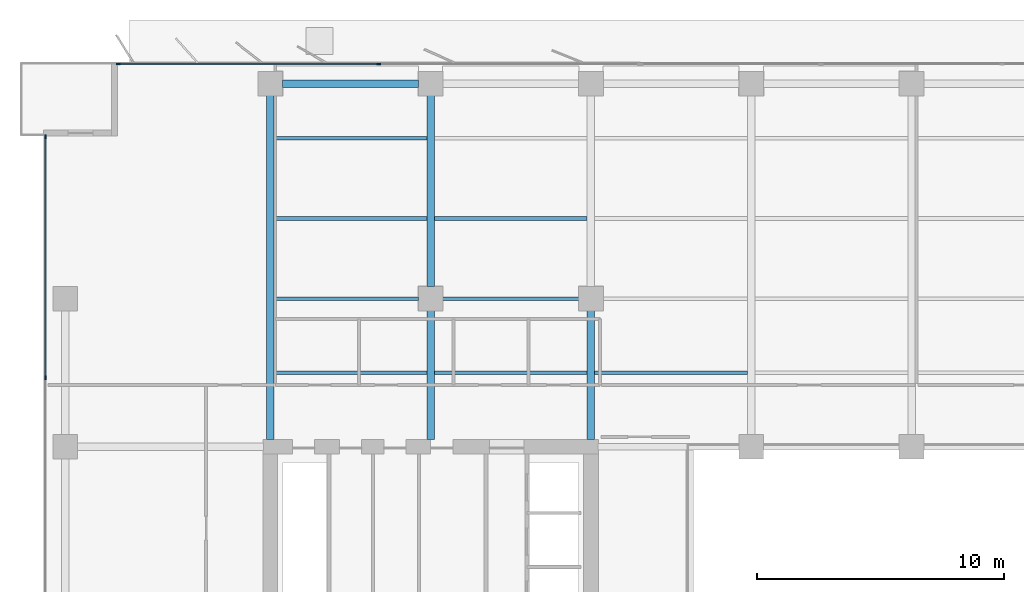
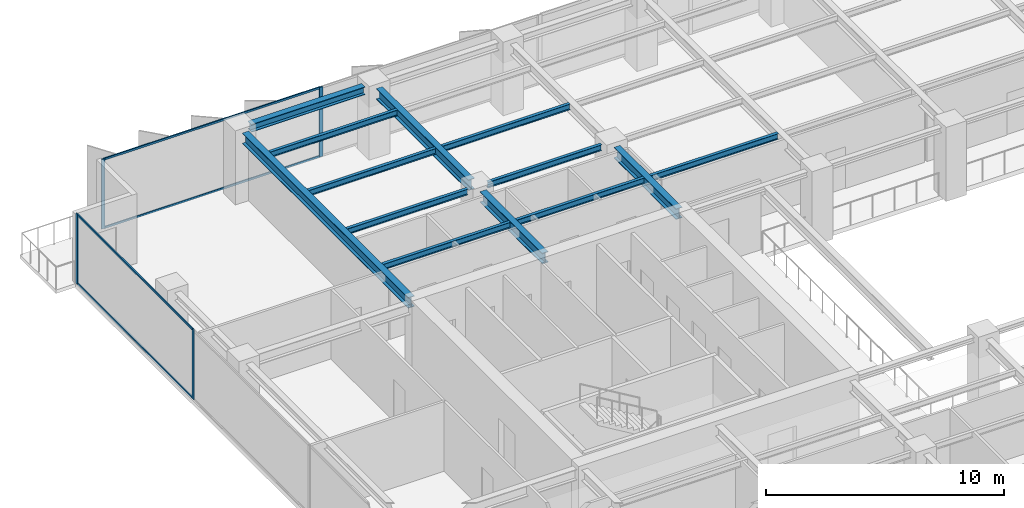
# One storey, part 8 of 22: 13 beams, 8 members, 2 elements without a shape of their own.
"""IFC4 building model written with IfcOpenShell, lengths in metres."""

from ifc_helpers import new_model, si_unit, direction, frame, origin, origin_2d, place, context, subcontext, project, spatial, rectangle, i_section, extrude, material, layer, layer_set, material_profile, profile_set, type_object, element, aggregate, save


model = new_model("IFC4")

# Units and contexts
model_context = context("Model", 3, precision=1e-05, world=origin(), true_north=direction((0.0, 1.0)))
body_context = subcontext(model_context, "Body", "Model", "MODEL_VIEW")
ifc_project = project(units=[si_unit("LENGTHUNIT", "METRE"), si_unit("AREAUNIT", "SQUARE_METRE"), si_unit("VOLUMEUNIT", "CUBIC_METRE"), si_unit("PLANEANGLEUNIT", "RADIAN"), si_unit("MASSUNIT", "GRAM", prefix="KILO")], contexts=[model_context])

# Site, building, storey
site_placement = place(None, origin())
site = spatial("IfcSite", under=ifc_project, at=site_placement, CompositionType="ELEMENT")
building_placement = place(site_placement, origin())
building = spatial("IfcBuilding", under=site, at=building_placement, Name="Putna Gate Headquarters", CompositionType="ELEMENT")
storey_placement = place(building_placement, frame((0.0, 0.0, 144.199951171875)))
storey = spatial("IfcBuildingStorey", under=building, at=storey_placement, Name="L35", CompositionType="ELEMENT", Elevation=144.199951171875)

# Beams
ifc_material_1 = material(Name="Steel S355J2", Category="steel")
ifc_material_profile_1 = material_profile(ifc_material_1, i_section(OverallWidth=0.300048828125, OverallDepth=0.550048828125, WebThickness=0.014892578125, FlangeThickness=0.029052734375, at=origin_2d()), Name="Steel S355J2")
ifc_profile_set_1 = profile_set([ifc_material_profile_1], Name="Steel S355J2")
beam_type_1 = type_object("IfcBeamType", Name="BM-GIRD-Z3-HEB550", PredefinedType="USERDEFINED", material=ifc_profile_set_1)
beam_1_placement = place(storey_placement, frame((13.0, 33.284912109375, 3.297119140625), z_axis=(0.0, 1.0, 0.0), x_axis=(-1.0, 0.0, 0.0)))
element("IfcBeam", 1, at=beam_1_placement, inside=storey, type_object=beam_type_1, Name="L35 North Primary Girder X13", ObjectType="GIRDER", PredefinedType="USERDEFINED", context=body_context, shape_type="SweptSolid", body=[
    extrude(i_section(OverallWidth=0.300048828125, OverallDepth=0.550048828125, WebThickness=0.014892578125, FlangeThickness=0.029052734375, at=origin_2d()), origin(), (0.0, 0.0, 1.0), 13.947021484375),
])
beam_2_placement = place(storey_placement, frame((19.5, 33.284912109375, 3.297119140625), z_axis=(0.0, 1.0, 0.0), x_axis=(-1.0, 0.0, 0.0)))
element("IfcBeam", 2, at=beam_2_placement, inside=storey, type_object=beam_type_1, Name="L35 North Primary Girder X19-1", ObjectType="GIRDER", PredefinedType="USERDEFINED", context=body_context, shape_type="SweptSolid", body=[
    extrude(i_section(OverallWidth=0.300048828125, OverallDepth=0.550048828125, WebThickness=0.014892578125, FlangeThickness=0.029052734375, at=origin_2d()), origin(), (0.0, 0.0, 1.0), 5.22705078125),
])
beam_3_placement = place(storey_placement, frame((19.5, 39.488037109375, 3.297119140625), z_axis=(0.0, 1.0, 0.0), x_axis=(-1.0, 0.0, 0.0)))
element("IfcBeam", 3, at=beam_3_placement, inside=storey, type_object=beam_type_1, Name="L35 North Primary Girder X19-2", ObjectType="GIRDER", PredefinedType="USERDEFINED", context=body_context, shape_type="SweptSolid", body=[
    extrude(i_section(OverallWidth=0.300048828125, OverallDepth=0.550048828125, WebThickness=0.014892578125, FlangeThickness=0.029052734375, at=origin_2d()), origin(), (0.0, 0.0, 1.0), 7.743896484375),
])
beam_4_placement = place(storey_placement, frame((26.0, 33.284912109375, 3.297119140625), z_axis=(0.0, 1.0, 0.0), x_axis=(-1.0, 0.0, 0.0)))
element("IfcBeam", 4, at=beam_4_placement, inside=storey, type_object=beam_type_1, Name="L35 North Primary Girder X26-1", ObjectType="GIRDER", PredefinedType="USERDEFINED", context=body_context, shape_type="SweptSolid", body=[
    extrude(i_section(OverallWidth=0.300048828125, OverallDepth=0.550048828125, WebThickness=0.014892578125, FlangeThickness=0.029052734375, at=origin_2d()), origin(), (0.0, 0.0, 1.0), 5.22705078125),
])
ifc_material_profile_2 = material_profile(ifc_material_1, i_section(OverallWidth=0.14990234375, OverallDepth=0.300048828125, WebThickness=0.007080078125, FlangeThickness=0.0107421875, at=origin_2d()), Name="Steel S355J2")
ifc_profile_set_2 = profile_set([ifc_material_profile_2], Name="Steel S355J2")
beam_type_2 = type_object("IfcBeamType", Name="BM-SEC-Z3-IPE300", PredefinedType="JOIST", material=ifc_profile_set_2)
beam_5_placement = place(storey_placement, frame((13.154052734375, 36.0, 3.422119140625), z_axis=(1.0, 0.0, 0.0), x_axis=(0.0, 1.0, 0.0)))
element("IfcBeam", 5, at=beam_5_placement, inside=storey, type_object=beam_type_2, Name="L35 North Secondary Beam 1", PredefinedType="JOIST", context=body_context, shape_type="SweptSolid", body=[
    extrude(i_section(OverallWidth=0.14990234375, OverallDepth=0.300048828125, WebThickness=0.007080078125, FlangeThickness=0.0107421875, at=origin_2d()), origin(), (0.0, 0.0, 1.0), 6.19189453125),
])
beam_6_placement = place(storey_placement, frame((13.154052734375, 39.0, 3.422119140625), z_axis=(1.0, 0.0, 0.0), x_axis=(0.0, 1.0, 0.0)))
element("IfcBeam", 6, at=beam_6_placement, inside=storey, type_object=beam_type_2, Name="L35 North Secondary Beam 1", PredefinedType="JOIST", context=body_context, shape_type="SweptSolid", body=[
    extrude(i_section(OverallWidth=0.14990234375, OverallDepth=0.300048828125, WebThickness=0.007080078125, FlangeThickness=0.0107421875, at=origin_2d()), origin(), (0.0, 0.0, 1.0), 5.85791015625),
])
for number, where, z_axis, x_axis, name in (
    (7, (13.154052734375, 42.25, 3.422119140625), (1.0, 0.0, 0.0), (0.0, 1.0, 0.0), "L35 North Secondary Beam 1"),
    (8, (13.154052734375, 45.5, 3.422119140625), (1.0, 0.0, 0.0), (0.0, 1.0, 0.0), "L35 North Secondary Beam 1"),
    (9, (19.654052734375, 36.0, 3.422119140625), (1.0, 0.0, 0.0), (0.0, 1.0, 0.0), "L35 North Secondary Beam 2"),
):
    element("IfcBeam", number, at=place(storey_placement, frame(where, z_axis=z_axis, x_axis=x_axis)), inside=storey, type_object=beam_type_2, Name=name, PredefinedType="JOIST", context=body_context, shape_type="SweptSolid", body=[
        extrude(i_section(OverallWidth=0.14990234375, OverallDepth=0.300048828125, WebThickness=0.007080078125, FlangeThickness=0.0107421875, at=origin_2d()), origin(), (0.0, 0.0, 1.0), 6.19189453125),
    ])
beam_7_placement = place(storey_placement, frame((19.988037109375, 39.0, 3.422119140625), z_axis=(1.0, 0.0, 0.0), x_axis=(0.0, 1.0, 0.0)))
element("IfcBeam", 10, at=beam_7_placement, inside=storey, type_object=beam_type_2, Name="L35 North Secondary Beam 2", PredefinedType="JOIST", context=body_context, shape_type="SweptSolid", body=[
    extrude(i_section(OverallWidth=0.14990234375, OverallDepth=0.300048828125, WebThickness=0.007080078125, FlangeThickness=0.0107421875, at=origin_2d()), origin(), (0.0, 0.0, 1.0), 5.52392578125),
])
for number, where, z_axis, x_axis, name in (
    (11, (19.654052734375, 42.25, 3.422119140625), (1.0, 0.0, 0.0), (0.0, 1.0, 0.0), "L35 North Secondary Beam 2"),
    (12, (26.154052734375, 36.0, 3.422119140625), (1.0, 0.0, 0.0), (0.0, 1.0, 0.0), "L35 North Secondary Beam 3"),
):
    element("IfcBeam", number, at=place(storey_placement, frame(where, z_axis=z_axis, x_axis=x_axis)), inside=storey, type_object=beam_type_2, Name=name, PredefinedType="JOIST", context=body_context, shape_type="SweptSolid", body=[
        extrude(i_section(OverallWidth=0.14990234375, OverallDepth=0.300048828125, WebThickness=0.007080078125, FlangeThickness=0.0107421875, at=origin_2d()), origin(), (0.0, 0.0, 1.0), 6.19189453125),
    ])
ifc_material_profile_3 = material_profile(ifc_material_1, i_section(OverallWidth=0.300048828125, OverallDepth=0.39990234375, WebThickness=0.013427734375, FlangeThickness=0.02392578125, at=origin_2d()), Name="Steel S355J2")
ifc_profile_set_3 = profile_set([ifc_material_profile_3], Name="Steel S355J2")
beam_type_3 = type_object("IfcBeamType", Name="BM-SPAN-Z3-HEB400", PredefinedType="SPANDREL", material=ifc_profile_set_3)
beam_8_placement = place(storey_placement, frame((13.488037109375, 47.719970703125, 3.3720703125), z_axis=(1.0, 0.0, 0.0), x_axis=(0.0, 1.0, 0.0)))
element("IfcBeam", 13, at=beam_8_placement, inside=storey, type_object=beam_type_3, Name="L35 N Perimeter Spandrel 1", PredefinedType="SPANDREL", context=body_context, shape_type="SweptSolid", body=[
    extrude(i_section(OverallWidth=0.300048828125, OverallDepth=0.39990234375, WebThickness=0.013427734375, FlangeThickness=0.02392578125, at=origin_2d()), origin(), (0.0, 0.0, 1.0), 5.52392578125),
])

# Curtain wall, members
ifc_material_2 = material(Name="Anodised bronze aluminium curtain wall", Category="aluminium")
ifc_layer = layer(ifc_material_2, 0.159912109375)
ifc_layer_set = layer_set([ifc_layer], Name="Anodised bronze aluminium curtain wall")
curtain_wall_type = type_object("IfcCurtainWallType", Name="CW-SYS-Z3", PredefinedType="USERDEFINED", material=ifc_layer_set)
curtain_wall_1_placement = place(storey_placement, origin())
curtain_wall_1 = element("IfcCurtainWall", 14, at=curtain_wall_1_placement, inside=storey, type_object=curtain_wall_type, Name="L35 North West Curtain Wall", ObjectType="STICK CURTAIN WALL", PredefinedType="USERDEFINED")
ifc_material_3 = material(Name="Anodised bronze aluminium EN AW-6060", Category="aluminium")
ifc_material_profile_4 = material_profile(ifc_material_3, rectangle(XDim=0.06494140625, YDim=0.159912109375, at=origin_2d()), Name="Anodised bronze aluminium EN AW-6060")
ifc_profile_set_4 = profile_set([ifc_material_profile_4], Name="Anodised bronze aluminium EN AW-6060")
member_type_1 = type_object("IfcMemberType", Name="MULL-CWM-3", PredefinedType="MULLION", material=ifc_profile_set_4)
member_1_placement = place(storey_placement, frame((6.83251953125, 48.52001953125, 0.0), z_axis=(0.0, 0.0, 1.0), x_axis=(0.0, 1.0, 0.0)))
member_1 = element("IfcMember", 15, at=member_1_placement, type_object=member_type_1, Name="CWS-3 mullion 1", PredefinedType="MULLION", context=body_context, shape_type="SweptSolid", body=[
    extrude(rectangle(XDim=0.06494140625, YDim=0.159912109375, at=origin_2d()), origin(), (0.0, 0.0, 1.0), 3.572021484375),
])
member_2_placement = place(storey_placement, frame((17.39990234375, 48.52001953125, 0.0), z_axis=(0.0, 0.0, 1.0), x_axis=(0.0, 1.0, 0.0)))
member_2 = element("IfcMember", 16, at=member_2_placement, type_object=member_type_1, Name="CWS-3 mullion 2", PredefinedType="MULLION", context=body_context, shape_type="SweptSolid", body=[
    extrude(rectangle(XDim=0.06494140625, YDim=0.159912109375, at=origin_2d()), origin(), (0.0, 0.0, 1.0), 3.572021484375),
])

curtain_wall_2_placement = place(storey_placement, origin())
curtain_wall_2 = element("IfcCurtainWall", 17, at=curtain_wall_2_placement, inside=storey, type_object=curtain_wall_type, Name="L35 West Curtain Wall", ObjectType="STICK CURTAIN WALL", PredefinedType="USERDEFINED")
member_3_placement = place(storey_placement, frame((3.8798828125, 35.800048828125, 0.0), z_axis=(0.0, 0.0, 1.0), x_axis=(-1.0, 0.0, 0.0)))
member_3 = element("IfcMember", 18, at=member_3_placement, type_object=member_type_1, Name="CWS-3 mullion 4", PredefinedType="MULLION", context=body_context, shape_type="SweptSolid", body=[
    extrude(rectangle(XDim=0.06494140625, YDim=0.159912109375, at=origin_2d()), origin(), (0.0, 0.0, 1.0), 3.572021484375),
])
member_4_placement = place(storey_placement, frame((3.8798828125, 45.5673828125, 0.0), z_axis=(0.0, 0.0, 1.0), x_axis=(-1.0, 0.0, 0.0)))
member_4 = element("IfcMember", 19, at=member_4_placement, type_object=member_type_1, Name="CWS-3 mullion 5", PredefinedType="MULLION", context=body_context, shape_type="SweptSolid", body=[
    extrude(rectangle(XDim=0.06494140625, YDim=0.159912109375, at=origin_2d()), origin(), (0.0, 0.0, 1.0), 3.572021484375),
])

# Member
ifc_material_profile_5 = material_profile(ifc_material_3, rectangle(XDim=0.06005859375, YDim=0.10009765625, at=origin_2d()), Name="Anodised bronze aluminium EN AW-6060")
ifc_profile_set_5 = profile_set([ifc_material_profile_5], Name="Anodised bronze aluminium EN AW-6060")
member_type_2 = type_object("IfcMemberType", Name="TRAN-CWT-3", PredefinedType="USERDEFINED", material=ifc_profile_set_5)
member_5_placement = place(storey_placement, frame((6.864990234375, 48.52001953125, 0.030029296875), z_axis=(1.0, 0.0, 0.0), x_axis=(0.0, 1.0, 0.0)))
member_5 = element("IfcMember", 20, at=member_5_placement, type_object=member_type_2, Name="CWS-3 transom 1.1", ObjectType="TRANSOM", PredefinedType="USERDEFINED", context=body_context, shape_type="SweptSolid", body=[
    extrude(rectangle(XDim=0.06005859375, YDim=0.10009765625, at=origin_2d()), origin(), (0.0, 0.0, 1.0), 10.50244140625),
])

member_6_placement = place(storey_placement, frame((6.864990234375, 48.52001953125, 3.5419921875), z_axis=(1.0, 0.0, 0.0), x_axis=(0.0, 1.0, 0.0)))
member_6 = element("IfcMember", 21, at=member_6_placement, type_object=member_type_2, Name="CWS-3 transom 1.2", ObjectType="TRANSOM", PredefinedType="USERDEFINED", context=body_context, shape_type="SweptSolid", body=[
    extrude(rectangle(XDim=0.06005859375, YDim=0.10009765625, at=origin_2d()), origin(), (0.0, 0.0, 1.0), 10.50244140625),
])

aggregate(curtain_wall_1, [member_1, member_2, member_5, member_6])

member_7_placement = place(storey_placement, frame((3.8798828125, 35.83251953125, 0.030029296875), z_axis=(0.0, 1.0, 0.0), x_axis=(-1.0, 0.0, 0.0)))
member_7 = element("IfcMember", 22, at=member_7_placement, type_object=member_type_2, Name="CWS-3 transom 4.1", ObjectType="TRANSOM", PredefinedType="USERDEFINED", context=body_context, shape_type="SweptSolid", body=[
    extrude(rectangle(XDim=0.06005859375, YDim=0.10009765625, at=origin_2d()), origin(), (0.0, 0.0, 1.0), 9.702392578125),
])

member_8_placement = place(storey_placement, frame((3.8798828125, 35.83251953125, 3.5419921875), z_axis=(0.0, 1.0, 0.0), x_axis=(-1.0, 0.0, 0.0)))
member_8 = element("IfcMember", 23, at=member_8_placement, type_object=member_type_2, Name="CWS-3 transom 4.2", ObjectType="TRANSOM", PredefinedType="USERDEFINED", context=body_context, shape_type="SweptSolid", body=[
    extrude(rectangle(XDim=0.06005859375, YDim=0.10009765625, at=origin_2d()), origin(), (0.0, 0.0, 1.0), 9.702392578125),
])

aggregate(curtain_wall_2, [member_3, member_4, member_7, member_8])

save(model, "model.ifc")
